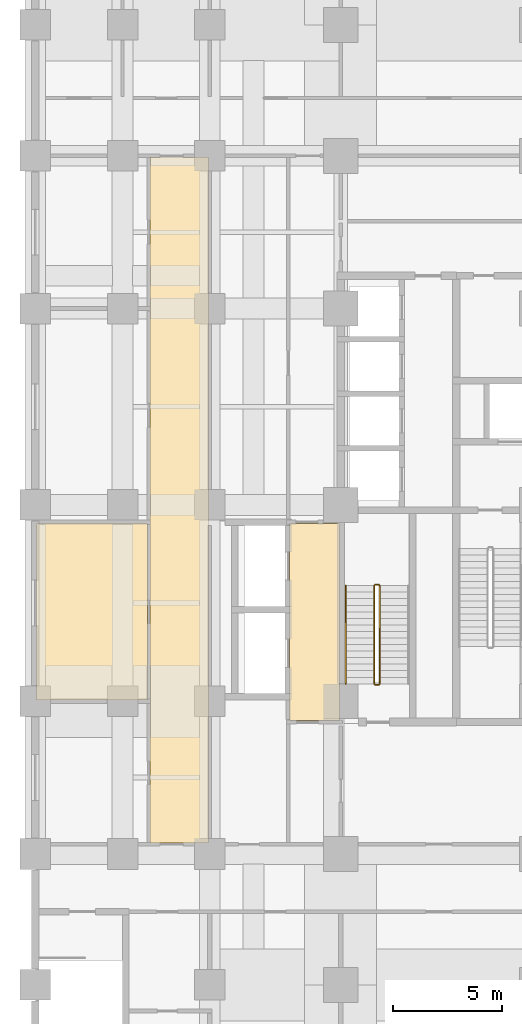
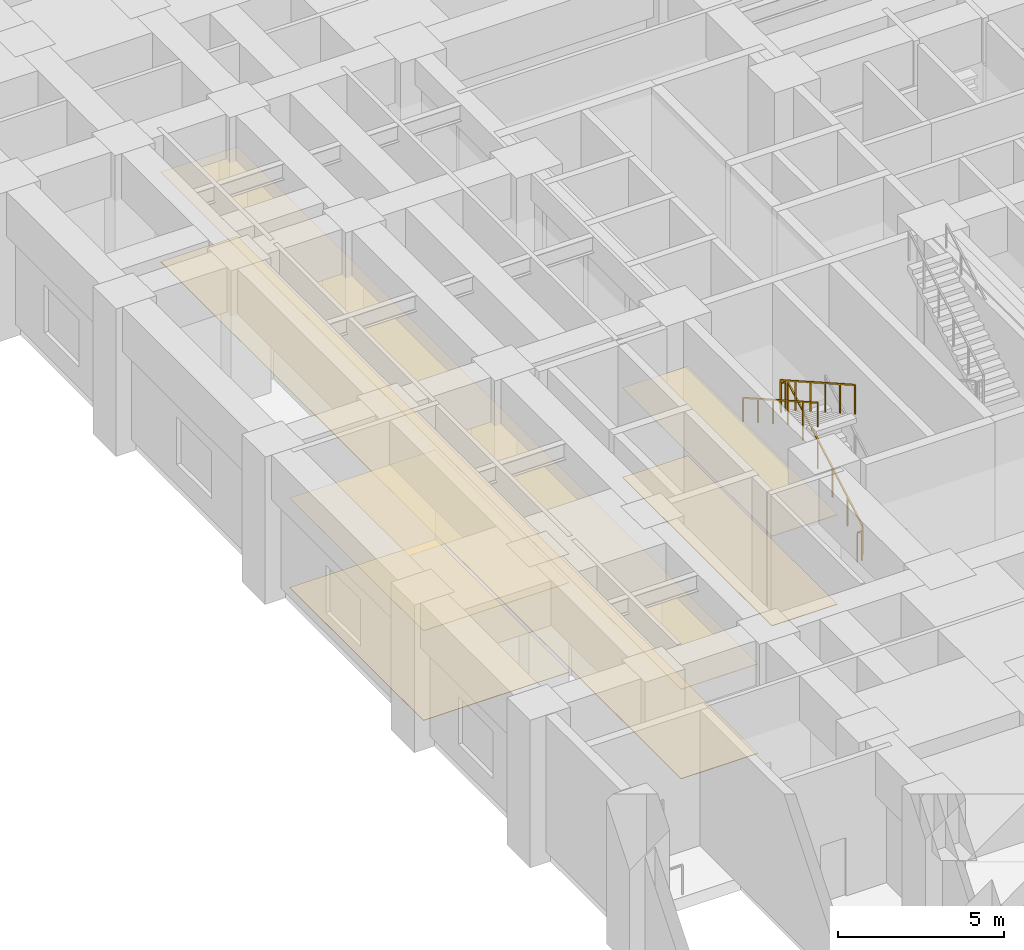
# One storey, part 17 of 22: 6 coverings, 5 railings.
"""IFC4 building model written with IfcOpenShell, lengths in metres."""

from ifc_helpers import new_model, si_unit, direction, frame, origin, origin_2d, place, context, subcontext, project, spatial, polyline, rectangle, outline, extrude, material, layer, layer_set, type_object, element, save


model = new_model("IFC4")

# Units and contexts
model_context = context("Model", 3, precision=1e-05, world=origin(), true_north=direction((0.0, 1.0)))
body_context = subcontext(model_context, "Body", "Model", "MODEL_VIEW")
ifc_project = project(units=[si_unit("LENGTHUNIT", "METRE"), si_unit("AREAUNIT", "SQUARE_METRE"), si_unit("VOLUMEUNIT", "CUBIC_METRE"), si_unit("PLANEANGLEUNIT", "RADIAN"), si_unit("MASSUNIT", "GRAM", prefix="KILO")], contexts=[model_context])

# Site, building, storey
site_placement = place(None, origin())
site = spatial("IfcSite", under=ifc_project, at=site_placement, CompositionType="ELEMENT")
building_placement = place(site_placement, origin())
building = spatial("IfcBuilding", under=site, at=building_placement, Name="Zulmaris Gate Convention Tower", CompositionType="ELEMENT")
storey_placement = place(building_placement, frame((0.0, 0.0, 21.760009765625)))
storey = spatial("IfcBuildingStorey", under=building, at=storey_placement, Name="L04", CompositionType="ELEMENT", Elevation=21.760009765625)

# Coverings
ifc_material_1 = material(Name="Mineral Fibre Acoustic Ceiling Tile")
ifc_layer_1 = layer(ifc_material_1, 0.02001953125, Name="Mineral Fibre Acoustic Ceiling Tile")
ifc_layer_set_1 = layer_set([ifc_layer_1], Name="Mineral Fibre Acoustic Ceiling Tile")
covering_type_1 = type_object("IfcCoveringType", Name="CLG-ACOUSTIC-600", PredefinedType="CEILING", material=ifc_layer_set_1)
covering_1_placement = place(storey_placement, frame((0.0, 0.0, 3.300048828125)))
element("IfcCovering", 1, at=covering_1_placement, inside=storey, type_object=covering_type_1, Name="CLG-L04-R32", PredefinedType="CEILING", context=body_context, shape_type="SweptSolid", body=[
    extrude(outline(polyline([(-22.340087890625, -9.889892578125), (-20.06005859375, -9.889892578125), (-20.06005859375, -0.860107421875), (-22.340087890625, -0.860107421875), (-22.340087890625, -9.889892578125)])), origin(), (0.0, 0.0, 1.0), 0.02001953125),
])
covering_2_placement = place(storey_placement, frame((0.0, 0.0, 3.300048828125)))
element("IfcCovering", 2, at=covering_2_placement, inside=storey, type_object=covering_type_1, Name="CLG-L04-R68", PredefinedType="CEILING", context=body_context, shape_type="SweptSolid", body=[
    extrude(outline(polyline([(-28.739990234375, -15.489990234375), (-26.06005859375, -15.489990234375), (-26.06005859375, 15.93994140625), (-28.739990234375, 15.93994140625), (-28.739990234375, -15.489990234375)])), origin(), (0.0, 0.0, 1.0), 0.02001953125),
])
covering_3_placement = place(storey_placement, frame((0.0, 0.0, 3.300048828125)))
element("IfcCovering", 3, at=covering_3_placement, inside=storey, type_object=covering_type_1, Name="CLG-L04-R70", PredefinedType="CEILING", context=body_context, shape_type="SweptSolid", body=[
    extrude(outline(polyline([(-33.93994140625, -8.93994140625), (-28.860107421875, -8.93994140625), (-28.860107421875, -0.860107421875), (-33.93994140625, -0.860107421875), (-33.93994140625, -8.93994140625)])), origin(), (0.0, 0.0, 1.0), 0.02001953125),
])
ifc_material_2 = material(Name="Woven Acoustic Wool Carpet Tile")
ifc_layer_2 = layer(ifc_material_2, 0.02001953125, Name="Woven Acoustic Wool Carpet Tile")
ifc_layer_set_2 = layer_set([ifc_layer_2], Name="Woven Acoustic Wool Carpet Tile")
covering_type_2 = type_object("IfcCoveringType", Name="FLR-CARPET-12", PredefinedType="FLOORING", material=ifc_layer_set_2)
covering_4_placement = place(storey_placement, origin())
element("IfcCovering", 4, at=covering_4_placement, inside=storey, type_object=covering_type_2, Name="FLR-L04-R32", PredefinedType="FLOORING", context=body_context, shape_type="SweptSolid", body=[
    extrude(outline(polyline([(-22.340087890625, -9.889892578125), (-20.06005859375, -9.889892578125), (-20.06005859375, -0.860107421875), (-22.340087890625, -0.860107421875), (-22.340087890625, -9.889892578125)])), origin(), (0.0, 0.0, 1.0), 0.02001953125),
])
covering_5_placement = place(storey_placement, origin())
element("IfcCovering", 5, at=covering_5_placement, inside=storey, type_object=covering_type_2, Name="FLR-L04-R68", PredefinedType="FLOORING", context=body_context, shape_type="SweptSolid", body=[
    extrude(outline(polyline([(-28.739990234375, -15.489990234375), (-26.06005859375, -15.489990234375), (-26.06005859375, 15.93994140625), (-28.739990234375, 15.93994140625), (-28.739990234375, -15.489990234375)])), origin(), (0.0, 0.0, 1.0), 0.02001953125),
])
ifc_material_3 = material(Name="Engineered Teak Parquet Flooring")
ifc_layer_3 = layer(ifc_material_3, 0.02001953125, Name="Engineered Teak Parquet Flooring")
ifc_layer_set_3 = layer_set([ifc_layer_3], Name="Engineered Teak Parquet Flooring")
covering_type_3 = type_object("IfcCoveringType", Name="FLR-TIMBER-18", PredefinedType="FLOORING", material=ifc_layer_set_3)
covering_6_placement = place(storey_placement, origin())
element("IfcCovering", 6, at=covering_6_placement, inside=storey, type_object=covering_type_3, Name="FLR-L04-R70", PredefinedType="FLOORING", context=body_context, shape_type="SweptSolid", body=[
    extrude(outline(polyline([(-33.93994140625, -8.93994140625), (-28.860107421875, -8.93994140625), (-28.860107421875, -0.860107421875), (-33.93994140625, -0.860107421875), (-33.93994140625, -8.93994140625)])), origin(), (0.0, 0.0, 1.0), 0.02001953125),
])

# Railings
ifc_material_4 = material(Name="Painted Galvanised Steel", Category="steel")
railing_type_1 = type_object("IfcRailingType", Name="RL-STG-1150", PredefinedType="GUARDRAIL", material=ifc_material_4)
railing_1_placement = place(storey_placement, frame((-18.2099609375, -8.199951171875, 0.169921875)))
element("IfcRailing", 7, at=railing_1_placement, inside=storey, type_object=railing_type_1, Name="L04 ST-3 stair guard 1", PredefinedType="GUARDRAIL", context=body_context, shape_type="SweptSolid", body=[
    extrude(rectangle(XDim=0.048095703125, YDim=0.048095703125, at=origin_2d()), frame((0.0, 0.0, 1.076171875), z_axis=(0.0, 0.870018136573, 0.493019717692), x_axis=(-1.0, 0.0, 0.0)), (0.0, 0.0, 1.0), 5.17236328125),
    extrude(rectangle(XDim=0.0419921875, YDim=0.0419921875, at=origin_2d()), origin(), (0.0, 0.0, 1.0), 1.052001953125),
    extrude(rectangle(XDim=0.0419921875, YDim=0.0419921875, at=origin_2d()), frame((0.0, 0.89990234375, 0.510009765625)), (0.0, 0.0, 1.0), 1.052001953125),
    extrude(rectangle(XDim=0.0419921875, YDim=0.0419921875, at=origin_2d()), frame((0.0, 1.800048828125, 1.02001953125)), (0.0, 0.0, 1.0), 1.052001953125),
    extrude(rectangle(XDim=0.0419921875, YDim=0.0419921875, at=origin_2d()), frame((0.0, 2.699951171875, 1.530029296875)), (0.0, 0.0, 1.0), 1.052001953125),
    extrude(rectangle(XDim=0.0419921875, YDim=0.0419921875, at=origin_2d()), frame((0.0, 3.60009765625, 2.0400390625)), (0.0, 0.0, 1.0), 1.052001953125),
    extrude(rectangle(XDim=0.0419921875, YDim=0.0419921875, at=origin_2d()), frame((0.0, 4.5, 2.550048828125)), (0.0, 0.0, 1.0), 1.052001953125),
])
railing_2_placement = place(storey_placement, frame((-18.260009765625, -3.64990234375, 2.719970703125)))
element("IfcRailing", 8, at=railing_2_placement, inside=storey, type_object=railing_type_1, Name="L04 ST-3 stair guard 2", PredefinedType="GUARDRAIL", context=body_context, shape_type="SweptSolid", body=[
    extrude(rectangle(XDim=0.048095703125, YDim=0.048095703125, at=origin_2d()), frame((0.0, 0.0, 1.076171875), z_axis=(-1.0, 0.0, 0.0), x_axis=(0.0, -1.0, 0.0)), (0.0, 0.0, 1.0), 0.159912109375),
    extrude(rectangle(XDim=0.0419921875, YDim=0.0419921875, at=origin_2d()), origin(), (0.0, 0.0, 1.0), 1.052001953125),
    extrude(rectangle(XDim=0.0419921875, YDim=0.0419921875, at=origin_2d()), frame((-0.159912109375, 0.0, 0.0)), (0.0, 0.0, 1.0), 1.052001953125),
])
railing_3_placement = place(storey_placement, frame((-18.469970703125, -3.699951171875, 2.889892578125)))
element("IfcRailing", 9, at=railing_3_placement, inside=storey, type_object=railing_type_1, Name="L04 ST-3 stair guard 3", PredefinedType="GUARDRAIL", context=body_context, shape_type="SweptSolid", body=[
    extrude(rectangle(XDim=0.048095703125, YDim=0.048095703125, at=origin_2d()), frame((0.0, 0.0, 1.076171875), z_axis=(0.0, -0.870018136573, 0.493019717692), x_axis=(1.0, 0.0, 0.0)), (0.0, 0.0, 1.0), 5.17236328125),
    extrude(rectangle(XDim=0.0419921875, YDim=0.0419921875, at=origin_2d()), origin(), (0.0, 0.0, 1.0), 1.052001953125),
    extrude(rectangle(XDim=0.0419921875, YDim=0.0419921875, at=origin_2d()), frame((0.0, -0.89990234375, 0.510009765625)), (0.0, 0.0, 1.0), 1.052001953125),
    extrude(rectangle(XDim=0.0419921875, YDim=0.0419921875, at=origin_2d()), frame((0.0, -1.800048828125, 1.02001953125)), (0.0, 0.0, 1.0), 1.052001953125),
    extrude(rectangle(XDim=0.0419921875, YDim=0.0419921875, at=origin_2d()), frame((0.0, -2.699951171875, 1.530029296875)), (0.0, 0.0, 1.0), 1.052001953125),
    extrude(rectangle(XDim=0.0419921875, YDim=0.0419921875, at=origin_2d()), frame((0.0, -3.60009765625, 2.0400390625)), (0.0, 0.0, 1.0), 1.052001953125),
    extrude(rectangle(XDim=0.0419921875, YDim=0.0419921875, at=origin_2d()), frame((0.0, -4.5, 2.550048828125)), (0.0, 0.0, 1.0), 1.052001953125),
])
railing_4_placement = place(storey_placement, frame((-18.260009765625, -8.25, 0.0)))
element("IfcRailing", 10, at=railing_4_placement, inside=storey, type_object=railing_type_1, Name="L04 ST-3 stair guard 4", PredefinedType="GUARDRAIL", context=body_context, shape_type="SweptSolid", body=[
    extrude(rectangle(XDim=0.048095703125, YDim=0.048095703125, at=origin_2d()), frame((0.0, 0.0, 1.076171875), z_axis=(-1.0, 0.0, 0.0), x_axis=(0.0, -1.0, 0.0)), (0.0, 0.0, 1.0), 0.159912109375),
    extrude(rectangle(XDim=0.0419921875, YDim=0.0419921875, at=origin_2d()), origin(), (0.0, 0.0, 1.0), 1.052001953125),
    extrude(rectangle(XDim=0.0419921875, YDim=0.0419921875, at=origin_2d()), frame((-0.159912109375, 0.0, 0.0)), (0.0, 0.0, 1.0), 1.052001953125),
])
ifc_material_5 = material(Name="Brushed Stainless Steel", Category="steel")
railing_type_2 = type_object("IfcRailingType", Name="RL-STH-900", PredefinedType="HANDRAIL", material=ifc_material_5)
railing_5_placement = place(storey_placement, frame((-19.77001953125, -3.699951171875, 2.889892578125)))
element("IfcRailing", 11, at=railing_5_placement, inside=storey, type_object=railing_type_2, Name="L04 ST-3 stair handrail 2", PredefinedType="HANDRAIL", context=body_context, shape_type="SweptSolid", body=[
    extrude(rectangle(XDim=0.048095703125, YDim=0.048095703125, at=origin_2d()), frame((0.0, 0.0, 0.8759765625), z_axis=(0.0, -0.870018136573, 0.493019717692), x_axis=(1.0, 0.0, 0.0)), (0.0, 0.0, 1.0), 5.17236328125),
    extrude(rectangle(XDim=0.0419921875, YDim=0.0419921875, at=origin_2d()), origin(), (0.0, 0.0, 1.0), 0.851806640625),
    extrude(rectangle(XDim=0.0419921875, YDim=0.0419921875, at=origin_2d()), frame((0.0, -0.89990234375, 0.510009765625)), (0.0, 0.0, 1.0), 0.851806640625),
    extrude(rectangle(XDim=0.0419921875, YDim=0.0419921875, at=origin_2d()), frame((0.0, -1.800048828125, 1.02001953125)), (0.0, 0.0, 1.0), 0.851806640625),
    extrude(rectangle(XDim=0.0419921875, YDim=0.0419921875, at=origin_2d()), frame((0.0, -2.699951171875, 1.530029296875)), (0.0, 0.0, 1.0), 0.851806640625),
    extrude(rectangle(XDim=0.0419921875, YDim=0.0419921875, at=origin_2d()), frame((0.0, -3.60009765625, 2.0400390625)), (0.0, 0.0, 1.0), 0.851806640625),
    extrude(rectangle(XDim=0.0419921875, YDim=0.0419921875, at=origin_2d()), frame((0.0, -4.5, 2.550048828125)), (0.0, 0.0, 1.0), 0.851806640625),
])

save(model, "model.ifc")
